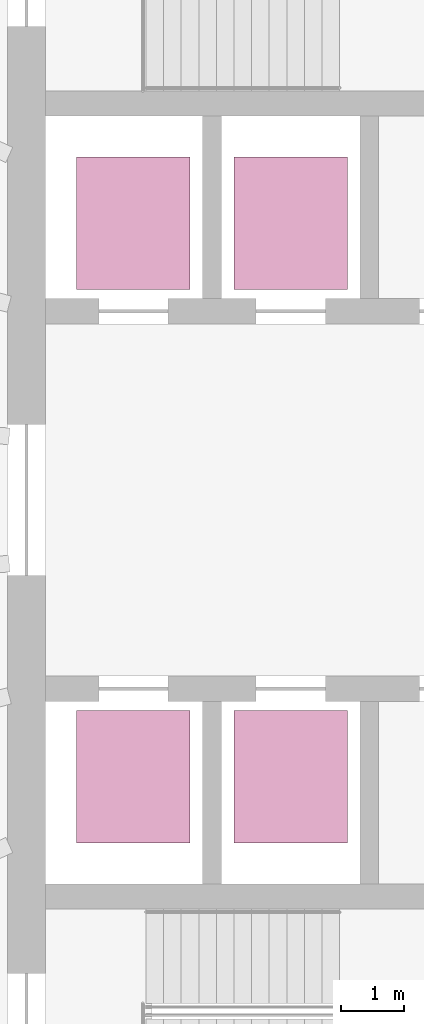
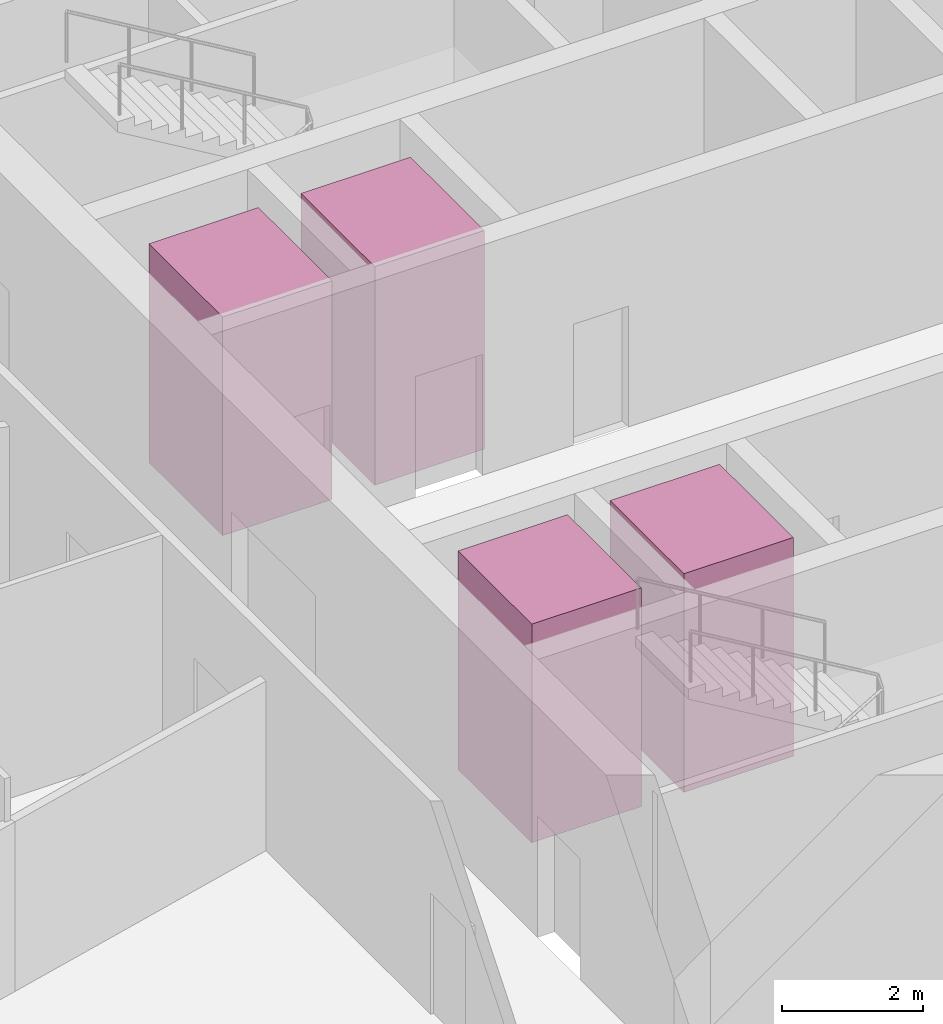
# One storey, part 10 of 10: 4 transport elements.
"""IFC4 building model written with IfcOpenShell, lengths in metres."""

from ifc_helpers import new_model, si_unit, direction, frame, origin, origin_2d, place, context, subcontext, project, spatial, rectangle, extrude, material, type_object, element, save


model = new_model("IFC4")

# Units and contexts
model_context = context("Model", 3, precision=1e-05, world=origin(), true_north=direction((0.0, 1.0)))
body_context = subcontext(model_context, "Body", "Model", "MODEL_VIEW")
ifc_project = project(units=[si_unit("LENGTHUNIT", "METRE"), si_unit("AREAUNIT", "SQUARE_METRE"), si_unit("VOLUMEUNIT", "CUBIC_METRE"), si_unit("PLANEANGLEUNIT", "RADIAN"), si_unit("MASSUNIT", "GRAM", prefix="KILO")], contexts=[model_context])

# Site, building, storey
site_placement = place(None, origin())
site = spatial("IfcSite", under=ifc_project, at=site_placement, CompositionType="ELEMENT")
building_placement = place(site_placement, origin())
building = spatial("IfcBuilding", under=site, at=building_placement, Name="Halqa Exchange Tower", CompositionType="ELEMENT")
storey_placement = place(building_placement, frame((0.0, 0.0, 272.300048828125)))
storey = spatial("IfcBuildingStorey", under=building, at=storey_placement, Name="L63", CompositionType="ELEMENT", Elevation=272.300048828125)

# Transport elements
ifc_material = material(Name="Stainless steel", Category="steel")
transport_element_type = type_object("IfcTransportElementType", Name="High-rise passenger lift 1800 x 2100", PredefinedType="ELEVATOR", material=ifc_material)
for number, where, z_axis, x_axis, name in (
    (1, (-10.0, 4.39990234375, 0.0), (0.0, 0.0, 1.0), (1.0, 0.0, 0.0), "High-rise passenger lift HR1"),
    (2, (-7.5, 4.39990234375, 0.0), (0.0, 0.0, 1.0), (1.0, 0.0, 0.0), "High-rise passenger lift HR2"),
    (3, (-10.0, -4.39990234375, 0.0), (0.0, 0.0, 1.0), (1.0, 0.0, 0.0), "High-rise passenger lift HR3"),
    (4, (-7.5, -4.39990234375, 0.0), (0.0, 0.0, 1.0), (1.0, 0.0, 0.0), "High-rise passenger lift HR4"),
):
    element("IfcTransportElement", number, at=place(storey_placement, frame(where, z_axis=z_axis, x_axis=x_axis)), inside=storey, type_object=transport_element_type, Name=name, PredefinedType="ELEVATOR", context=body_context, shape_type="SweptSolid", body=[
        extrude(rectangle(XDim=1.800048828125, YDim=2.10009765625, at=origin_2d()), origin(), (0.0, 0.0, 1.0), 3.800048828125),
    ])

save(model, "model.ifc")
